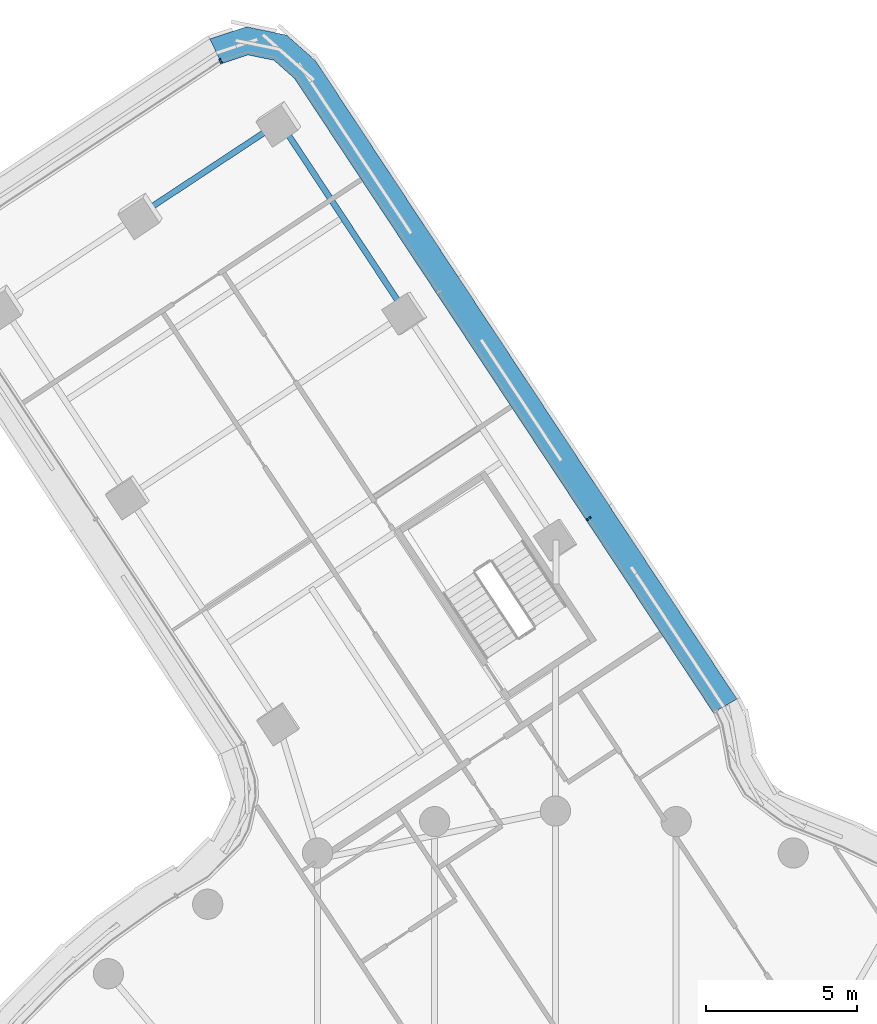
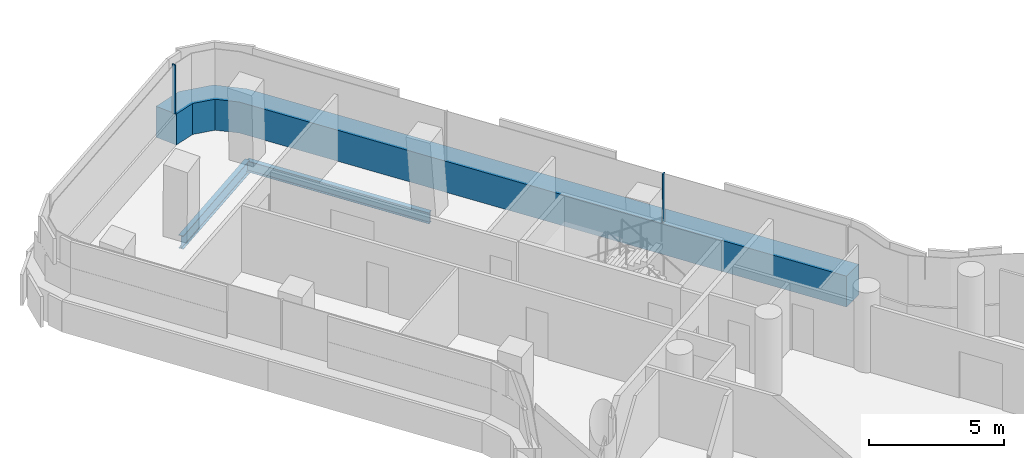
# One storey, part 18 of 35: 3 members, 2 beams, 2 elements without a shape of their own.
"""IFC4 building model written with IfcOpenShell, lengths in metres."""

from ifc_helpers import new_model, si_unit, direction, frame, origin, origin_2d, place, context, subcontext, project, spatial, polyline, rectangle, i_section, outline, extrude, material, layer, layer_set, material_profile, profile_set, type_object, element, aggregate, save


model = new_model("IFC4")

# Units and contexts
model_context = context("Model", 3, precision=1e-05, world=origin(), true_north=direction((0.0, 1.0)))
body_context = subcontext(model_context, "Body", "Model", "MODEL_VIEW")
ifc_project = project(units=[si_unit("LENGTHUNIT", "METRE"), si_unit("AREAUNIT", "SQUARE_METRE"), si_unit("VOLUMEUNIT", "CUBIC_METRE"), si_unit("PLANEANGLEUNIT", "RADIAN"), si_unit("MASSUNIT", "GRAM", prefix="KILO")], contexts=[model_context])

# Site, building, storey
site_placement = place(None, origin())
site = spatial("IfcSite", under=ifc_project, at=site_placement, CompositionType="ELEMENT")
building_placement = place(site_placement, origin())
building = spatial("IfcBuilding", under=site, at=building_placement, Name="Tamarind Cross Interchange Tower", CompositionType="ELEMENT")
storey_placement = place(building_placement, frame((0.0, 0.0, 155.5)))
storey = spatial("IfcBuildingStorey", under=building, at=storey_placement, Name="L38", CompositionType="ELEMENT", Elevation=155.5)

# Beams
ifc_material_1 = material(Name="Steel Q355B", Category="steel")
ifc_material_profile_1 = material_profile(ifc_material_1, i_section(OverallWidth=0.198974609375, OverallDepth=0.49609375, WebThickness=0.009033203125, FlangeThickness=0.013916015625, FilletRadius=0.012939453125, at=origin_2d()), Name="HN 496x199x9x14")
ifc_profile_set_1 = profile_set([ifc_material_profile_1], Name="Steel Q355B")
beam_type_1 = type_object("IfcBeamType", Name="Composite beam HN 496x199x9x14 Q355B", PredefinedType="BEAM", material=ifc_profile_set_1)
beam_1_placement = place(storey_placement, frame((-9.111328125, 45.78271484375, -0.387939453125), z_axis=(0.550972095029, -0.83452366683, 0.0), x_axis=(0.83452366683, 0.550972095029, 0.0)))
element("IfcBeam", 1, at=beam_1_placement, inside=storey, type_object=beam_type_1, Name="Beam N-edgeem5", PredefinedType="BEAM", context=body_context, shape_type="SweptSolid", body=[
    extrude(i_section(OverallWidth=0.198974609375, OverallDepth=0.49609375, WebThickness=0.009033203125, FlangeThickness=0.013916015625, FilletRadius=0.012939453125, at=origin_2d()), origin(), (0.0, 0.0, 1.0), 7.5673828125),
])
ifc_material_profile_2 = material_profile(ifc_material_1, i_section(OverallWidth=0.199951171875, OverallDepth=0.60009765625, WebThickness=0.010986328125, FlangeThickness=0.01708984375, FilletRadius=0.012939453125, at=origin_2d()), Name="HN 600x200x11x17")
ifc_profile_set_2 = profile_set([ifc_material_profile_2], Name="Steel Q355B")
beam_type_2 = type_object("IfcBeamType", Name="Composite beam HN 600x200x11x17 Q355B", PredefinedType="BEAM", material=ifc_profile_set_2)
beam_2_placement = place(storey_placement, frame((-9.111328125, 45.78271484375, -0.43994140625), z_axis=(-0.834527766716, -0.550965885132, 0.0), x_axis=(0.550965885132, -0.834527766716, 0.0)))
element("IfcBeam", 2, at=beam_2_placement, inside=storey, type_object=beam_type_2, Name="Beam N-tip0", PredefinedType="BEAM", context=body_context, shape_type="SweptSolid", body=[
    extrude(i_section(OverallWidth=0.199951171875, OverallDepth=0.60009765625, WebThickness=0.010986328125, FlangeThickness=0.01708984375, FilletRadius=0.012939453125, at=origin_2d()), origin(), (0.0, 0.0, 1.0), 5.5),
])

# Curtain wall, member
ifc_material_2 = material(Name="Aluminium 6063-T6", Category="aluminium")
ifc_layer = layer(ifc_material_2, 0.159912109375)
ifc_layer_set = layer_set([ifc_layer], Name="Aluminium 6063-T6")
curtain_wall_type = type_object("IfcCurtainWallType", Name="Office curtain wall, 9.0 m bays", PredefinedType="NOTDEFINED", material=ifc_layer_set)
curtain_wall_1_placement = place(storey_placement, origin())
curtain_wall_1 = element("IfcCurtainWall", 3, at=curtain_wall_1_placement, inside=storey, type_object=curtain_wall_type, Name="CWS-L38-15", PredefinedType="NOTDEFINED")
ifc_material_3 = material(Name="Aluminium and insulated spandrel panel", Category="aluminium")
member_type_1 = type_object("IfcMemberType", Name="Floor-edge blade transom", PredefinedType="USERDEFINED", material=ifc_material_3)
member_1_placement = place(storey_placement, origin())
member_1 = element("IfcMember", 4, at=member_1_placement, type_object=member_type_1, Name="CWT-L38-15", ObjectType="TRANSOM", PredefinedType="USERDEFINED", context=body_context, shape_type="SweptSolid", body=[
    extrude(outline(polyline([(5.2177734375, 26.25732421875), (-8.623779296875, 47.222412109375), (-9.308837890625, 47.829833984375), (-10.16552734375, 48.005126953125), (-11.033935546875, 47.715576171875), (-11.430908203125, 48.531982421875), (-10.22119140625, 48.935302734375), (-8.89208984375, 48.6630859375), (-7.93798828125, 47.817138671875), (6.00146484375, 26.703857421875), (5.2177734375, 26.25732421875)])), origin(), (0.0, 0.0, 1.0), 1.39990234375),
])

curtain_wall_2_placement = place(storey_placement, origin())
curtain_wall_2 = element("IfcCurtainWall", 5, at=curtain_wall_2_placement, inside=storey, type_object=curtain_wall_type, Name="CWS-L38-00", PredefinedType="NOTDEFINED")
ifc_material_profile_3 = material_profile(ifc_material_2, rectangle(XDim=0.06005859375, YDim=0.159912109375, at=origin_2d()), Name="Mullion CW1")
ifc_profile_set_3 = profile_set([ifc_material_profile_3], Name="Aluminium 6063-T6")
member_type_2 = type_object("IfcMemberType", Name="Mullion CW1", PredefinedType="MULLION", material=ifc_profile_set_3)
member_2_placement = place(storey_placement, frame((-11.078125, 47.806396484375, 1.39990234375), z_axis=(0.0, 0.0, 1.0), x_axis=(-0.899301470343, -0.437329241463, 0.0)))
member_2 = element("IfcMember", 6, at=member_2_placement, type_object=member_type_2, Name="CWM-L38-00-00", PredefinedType="MULLION", context=body_context, shape_type="SweptSolid", body=[
    extrude(rectangle(XDim=0.06005859375, YDim=0.159912109375, at=origin_2d()), origin(), (0.0, 0.0, 1.0), 2.210205078125),
])
aggregate(curtain_wall_2, [member_2])

# Member
member_3_placement = place(storey_placement, frame((1.10107421875, 32.674072265625, 1.39990234375), z_axis=(0.0, 0.0, 1.0), x_axis=(-0.550970225759, 0.834524900963, 0.0)))
member_3 = element("IfcMember", 7, at=member_3_placement, type_object=member_type_2, Name="CWM-L38-15-01", PredefinedType="MULLION", context=body_context, shape_type="SweptSolid", body=[
    extrude(rectangle(XDim=0.06005859375, YDim=0.159912109375, at=origin_2d()), origin(), (0.0, 0.0, 1.0), 2.210205078125),
])

aggregate(curtain_wall_1, [member_3, member_1])

save(model, "model.ifc")
